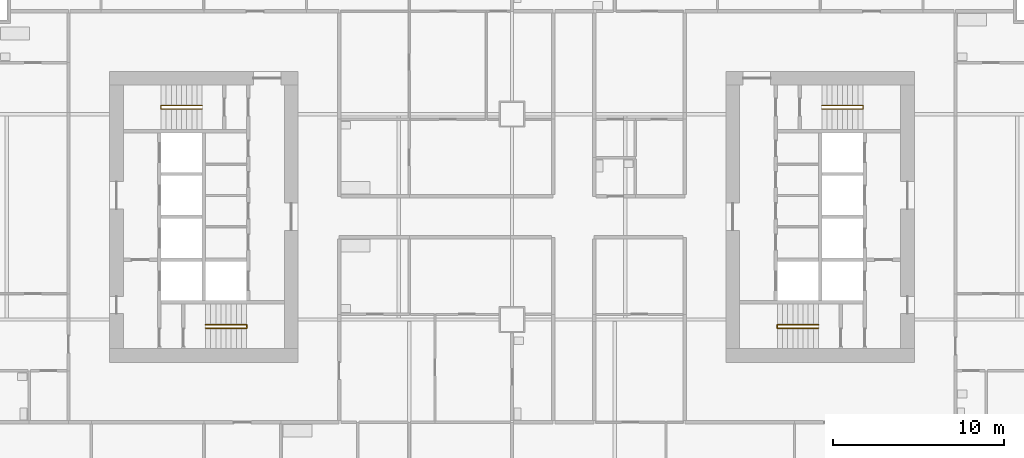
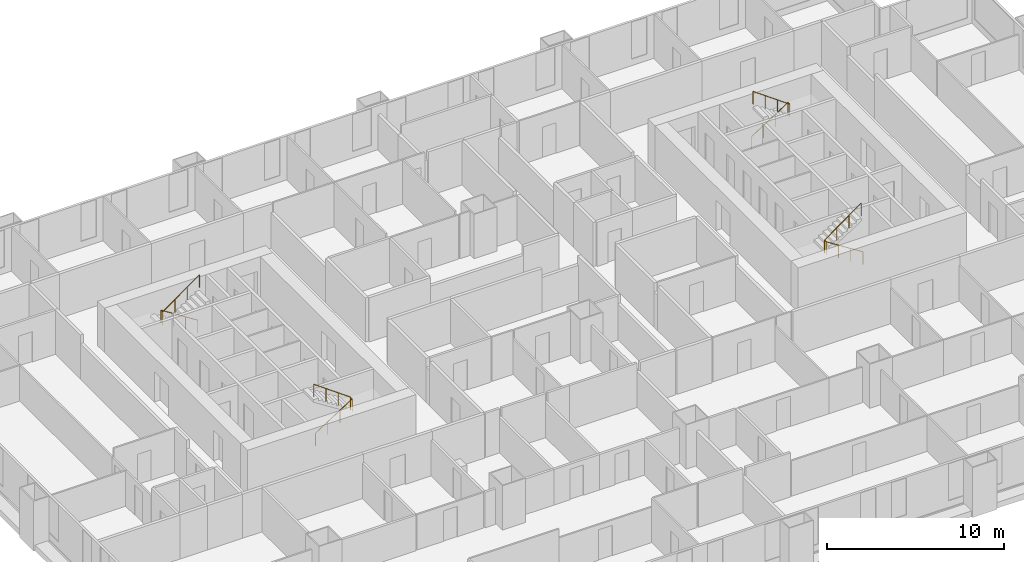
# One storey, part 13 of 14: 4 railings.
"""IFC4 building model written with IfcOpenShell, lengths in metres."""

from ifc_helpers import new_model, si_unit, direction, frame, origin, origin_2d, place, context, subcontext, project, spatial, circle, extrude, material, type_object, element, save


model = new_model("IFC4")

# Units and contexts
model_context = context("Model", 3, precision=1e-05, world=origin(), true_north=direction((0.0, 1.0)))
body_context = subcontext(model_context, "Body", "Model", "MODEL_VIEW")
ifc_project = project(units=[si_unit("LENGTHUNIT", "METRE"), si_unit("AREAUNIT", "SQUARE_METRE"), si_unit("VOLUMEUNIT", "CUBIC_METRE"), si_unit("PLANEANGLEUNIT", "RADIAN"), si_unit("MASSUNIT", "GRAM", prefix="KILO")], contexts=[model_context])

# Site, building, storey
site_placement = place(None, origin())
site = spatial("IfcSite", under=ifc_project, at=site_placement, CompositionType="ELEMENT")
building_placement = place(site_placement, origin())
building = spatial("IfcBuilding", under=site, at=building_placement, Name="Kitamizu Gate Tower and Museum", CompositionType="ELEMENT")
storey_placement = place(building_placement, frame((0.0, 0.0, 74.85009765625)))
storey = spatial("IfcBuildingStorey", under=building, at=storey_placement, Name="L18", CompositionType="ELEMENT", Elevation=74.85009765625)

# Railings
ifc_material = material(Name="Stainless steel SUS304", Category="steel")
railing_type = type_object("IfcRailingType", Name="Stair handrail 900", PredefinedType="HANDRAIL", material=ifc_material)
railing_1_placement = place(storey_placement, frame((18.10009765625, 23.5, 0.191650390625)))
element("IfcRailing", 1, at=railing_1_placement, inside=storey, type_object=railing_type, Name="Stair handrail ST1", PredefinedType="HANDRAIL", context=body_context, shape_type="SweptSolid", body=[
    extrude(circle(Radius=0.02392578125, at=origin_2d()), frame((0.0, 0.0, 0.8759765625), z_axis=(0.84270706373, 0.0, 0.538372366248), x_axis=(0.0, 1.0, 0.0)), (0.0, 0.0, 1.0), 2.847900390625),
    extrude(circle(Radius=0.02392578125, at=origin_2d()), frame((2.39990234375, 0.0, 2.4091796875), z_axis=(0.0, 1.0, 0.0), x_axis=(-1.0, 0.0, 0.0)), (0.0, 0.0, 1.0), 0.199951171875),
    extrude(circle(Radius=0.02392578125, at=origin_2d()), frame((2.39990234375, 0.199951171875, 2.4091796875), z_axis=(-0.811988456656, 0.0, 0.583673492852), x_axis=(0.0, -1.0, 0.0)), (0.0, 0.0, 1.0), 2.95556640625),
    extrude(circle(Radius=0.02099609375, at=origin_2d()), origin(), (0.0, 0.0, 1.0), 0.851806640625),
    extrude(circle(Radius=0.02099609375, at=origin_2d()), frame((0.800048828125, 0.0, 0.510986328125)), (0.0, 0.0, 1.0), 0.851806640625),
    extrude(circle(Radius=0.02099609375, at=origin_2d()), frame((1.599853515625, 0.0, 1.022216796875)), (0.0, 0.0, 1.0), 0.851806640625),
    extrude(circle(Radius=0.02099609375, at=origin_2d()), frame((2.39990234375, 0.0, 1.533203125)), (0.0, 0.0, 1.0), 0.851806640625),
    extrude(circle(Radius=0.02099609375, at=origin_2d()), frame((2.39990234375, 0.199951171875, 1.533203125)), (0.0, 0.0, 1.0), 0.851806640625),
    extrude(circle(Radius=0.02099609375, at=origin_2d()), frame((1.599853515625, 0.199951171875, 2.108154296875)), (0.0, 0.0, 1.0), 0.851806640625),
    extrude(circle(Radius=0.02099609375, at=origin_2d()), frame((0.800048828125, 0.199951171875, 2.683349609375)), (0.0, 0.0, 1.0), 0.851806640625),
    extrude(circle(Radius=0.02099609375, at=origin_2d()), frame((0.0, 0.199951171875, 3.25830078125)), (0.0, 0.0, 1.0), 0.851806640625),
])
railing_2_placement = place(storey_placement, frame((17.89990234375, 36.5, 0.191650390625)))
element("IfcRailing", 2, at=railing_2_placement, inside=storey, type_object=railing_type, Name="Stair handrail ST2", PredefinedType="HANDRAIL", context=body_context, shape_type="SweptSolid", body=[
    extrude(circle(Radius=0.02392578125, at=origin_2d()), frame((0.0, 0.0, 0.8759765625), z_axis=(-0.84270706373, 0.0, 0.538372366248), x_axis=(0.0, -1.0, 0.0)), (0.0, 0.0, 1.0), 2.847900390625),
    extrude(circle(Radius=0.02392578125, at=origin_2d()), frame((-2.39990234375, 0.0, 2.4091796875), z_axis=(0.0, -1.0, 0.0), x_axis=(1.0, 0.0, 0.0)), (0.0, 0.0, 1.0), 0.199951171875),
    extrude(circle(Radius=0.02392578125, at=origin_2d()), frame((-2.39990234375, -0.199951171875, 2.4091796875), z_axis=(0.811988456656, 0.0, 0.583673492852), x_axis=(0.0, 1.0, 0.0)), (0.0, 0.0, 1.0), 2.95556640625),
    extrude(circle(Radius=0.02099609375, at=origin_2d()), origin(), (0.0, 0.0, 1.0), 0.851806640625),
    extrude(circle(Radius=0.02099609375, at=origin_2d()), frame((-0.800048828125, 0.0, 0.510986328125)), (0.0, 0.0, 1.0), 0.851806640625),
    extrude(circle(Radius=0.02099609375, at=origin_2d()), frame((-1.599853515625, 0.0, 1.022216796875)), (0.0, 0.0, 1.0), 0.851806640625),
    extrude(circle(Radius=0.02099609375, at=origin_2d()), frame((-2.39990234375, 0.0, 1.533203125)), (0.0, 0.0, 1.0), 0.851806640625),
    extrude(circle(Radius=0.02099609375, at=origin_2d()), frame((-2.39990234375, -0.199951171875, 1.533203125)), (0.0, 0.0, 1.0), 0.851806640625),
    extrude(circle(Radius=0.02099609375, at=origin_2d()), frame((-1.599853515625, -0.199951171875, 2.108154296875)), (0.0, 0.0, 1.0), 0.851806640625),
    extrude(circle(Radius=0.02099609375, at=origin_2d()), frame((-0.800048828125, -0.199951171875, 2.683349609375)), (0.0, 0.0, 1.0), 0.851806640625),
    extrude(circle(Radius=0.02099609375, at=origin_2d()), frame((0.0, -0.199951171875, 3.25830078125)), (0.0, 0.0, 1.0), 0.851806640625),
])
railing_3_placement = place(storey_placement, frame((53.89990234375, 23.5, 0.191650390625)))
element("IfcRailing", 3, at=railing_3_placement, inside=storey, type_object=railing_type, Name="Stair handrail ST3", PredefinedType="HANDRAIL", context=body_context, shape_type="SweptSolid", body=[
    extrude(circle(Radius=0.02392578125, at=origin_2d()), frame((0.0, 0.0, 0.8759765625), z_axis=(-0.84270706373, 0.0, 0.538372366248), x_axis=(0.0, -1.0, 0.0)), (0.0, 0.0, 1.0), 2.847900390625),
    extrude(circle(Radius=0.02392578125, at=origin_2d()), frame((-2.39990234375, 0.0, 2.4091796875), z_axis=(0.0, 1.0, 0.0), x_axis=(-1.0, 0.0, 0.0)), (0.0, 0.0, 1.0), 0.199951171875),
    extrude(circle(Radius=0.02392578125, at=origin_2d()), frame((-2.39990234375, 0.199951171875, 2.4091796875), z_axis=(0.811988456656, 0.0, 0.583673492852), x_axis=(0.0, 1.0, 0.0)), (0.0, 0.0, 1.0), 2.95556640625),
    extrude(circle(Radius=0.02099609375, at=origin_2d()), origin(), (0.0, 0.0, 1.0), 0.851806640625),
    extrude(circle(Radius=0.02099609375, at=origin_2d()), frame((-0.800048828125, 0.0, 0.510986328125)), (0.0, 0.0, 1.0), 0.851806640625),
    extrude(circle(Radius=0.02099609375, at=origin_2d()), frame((-1.599853515625, 0.0, 1.022216796875)), (0.0, 0.0, 1.0), 0.851806640625),
    extrude(circle(Radius=0.02099609375, at=origin_2d()), frame((-2.39990234375, 0.0, 1.533203125)), (0.0, 0.0, 1.0), 0.851806640625),
    extrude(circle(Radius=0.02099609375, at=origin_2d()), frame((-2.39990234375, 0.199951171875, 1.533203125)), (0.0, 0.0, 1.0), 0.851806640625),
    extrude(circle(Radius=0.02099609375, at=origin_2d()), frame((-1.599853515625, 0.199951171875, 2.108154296875)), (0.0, 0.0, 1.0), 0.851806640625),
    extrude(circle(Radius=0.02099609375, at=origin_2d()), frame((-0.800048828125, 0.199951171875, 2.683349609375)), (0.0, 0.0, 1.0), 0.851806640625),
    extrude(circle(Radius=0.02099609375, at=origin_2d()), frame((0.0, 0.199951171875, 3.25830078125)), (0.0, 0.0, 1.0), 0.851806640625),
])
railing_4_placement = place(storey_placement, frame((54.10009765625, 36.5, 0.191650390625)))
element("IfcRailing", 4, at=railing_4_placement, inside=storey, type_object=railing_type, Name="Stair handrail ST4", PredefinedType="HANDRAIL", context=body_context, shape_type="SweptSolid", body=[
    extrude(circle(Radius=0.02392578125, at=origin_2d()), frame((0.0, 0.0, 0.8759765625), z_axis=(0.84270706373, 0.0, 0.538372366248), x_axis=(0.0, 1.0, 0.0)), (0.0, 0.0, 1.0), 2.847900390625),
    extrude(circle(Radius=0.02392578125, at=origin_2d()), frame((2.39990234375, 0.0, 2.4091796875), z_axis=(0.0, -1.0, 0.0), x_axis=(1.0, 0.0, 0.0)), (0.0, 0.0, 1.0), 0.199951171875),
    extrude(circle(Radius=0.02392578125, at=origin_2d()), frame((2.39990234375, -0.199951171875, 2.4091796875), z_axis=(-0.811988456656, 0.0, 0.583673492852), x_axis=(0.0, -1.0, 0.0)), (0.0, 0.0, 1.0), 2.95556640625),
    extrude(circle(Radius=0.02099609375, at=origin_2d()), origin(), (0.0, 0.0, 1.0), 0.851806640625),
    extrude(circle(Radius=0.02099609375, at=origin_2d()), frame((0.800048828125, 0.0, 0.510986328125)), (0.0, 0.0, 1.0), 0.851806640625),
    extrude(circle(Radius=0.02099609375, at=origin_2d()), frame((1.599853515625, 0.0, 1.022216796875)), (0.0, 0.0, 1.0), 0.851806640625),
    extrude(circle(Radius=0.02099609375, at=origin_2d()), frame((2.39990234375, 0.0, 1.533203125)), (0.0, 0.0, 1.0), 0.851806640625),
    extrude(circle(Radius=0.02099609375, at=origin_2d()), frame((2.39990234375, -0.199951171875, 1.533203125)), (0.0, 0.0, 1.0), 0.851806640625),
    extrude(circle(Radius=0.02099609375, at=origin_2d()), frame((1.599853515625, -0.199951171875, 2.108154296875)), (0.0, 0.0, 1.0), 0.851806640625),
    extrude(circle(Radius=0.02099609375, at=origin_2d()), frame((0.800048828125, -0.199951171875, 2.683349609375)), (0.0, 0.0, 1.0), 0.851806640625),
    extrude(circle(Radius=0.02099609375, at=origin_2d()), frame((0.0, -0.199951171875, 3.25830078125)), (0.0, 0.0, 1.0), 0.851806640625),
])

save(model, "model.ifc")
